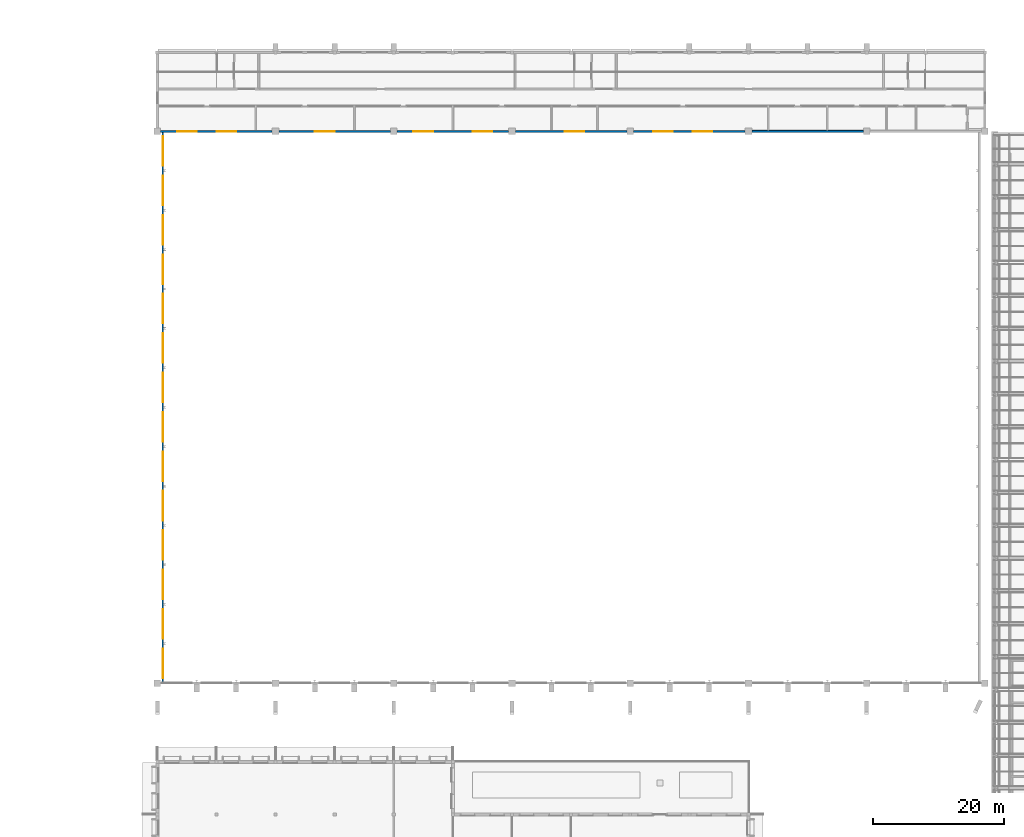
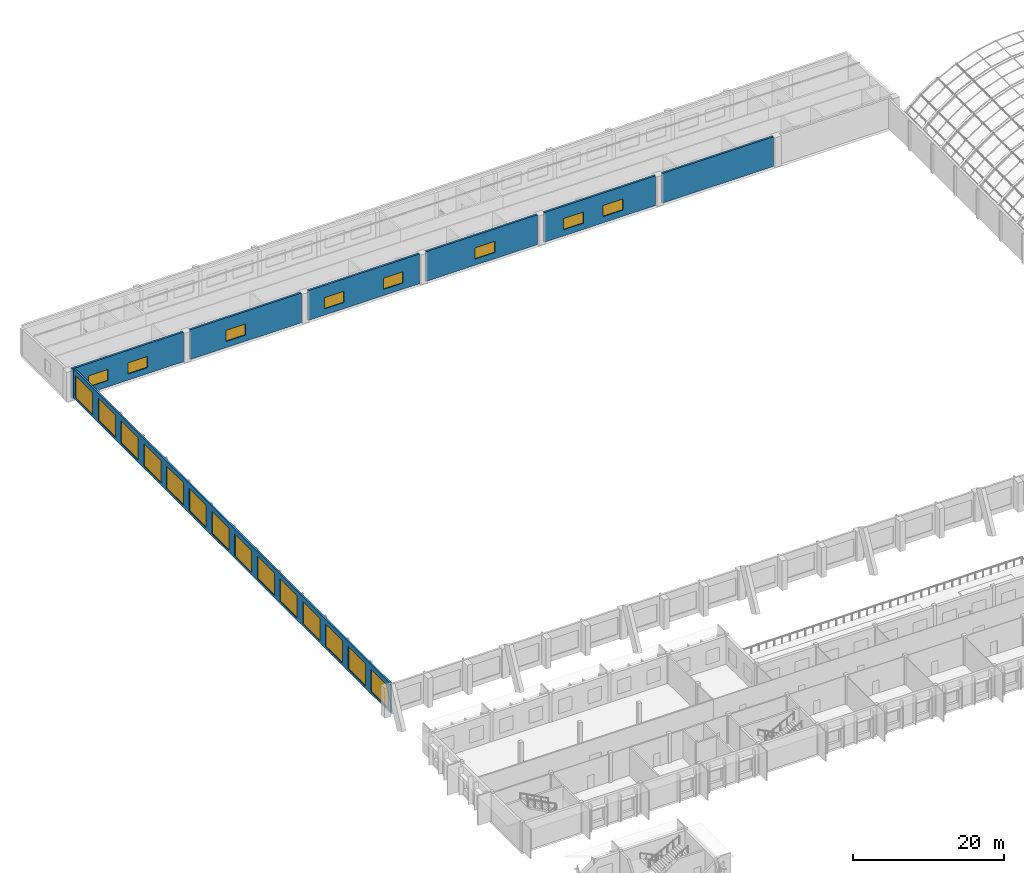
# One storey, part 138 of 182: 22 windows, 7 walls, 22 openings.
"""IFC4 building model written with IfcOpenShell, lengths in metres."""

from ifc_helpers import new_model, si_unit, direction, frame, frame_2d, origin, place, context, subcontext, project, spatial, rectangle, extrude, material, layer, layer_set, type_object, element, fill, save


model = new_model("IFC4")

# Units and contexts
model_context = context("Model", 3, precision=1e-05, world=origin(), true_north=direction((0.0, 1.0)))
body_context = subcontext(model_context, "Body", "Model", "MODEL_VIEW")
ifc_project = project(units=[si_unit("LENGTHUNIT", "METRE"), si_unit("AREAUNIT", "SQUARE_METRE"), si_unit("VOLUMEUNIT", "CUBIC_METRE"), si_unit("PLANEANGLEUNIT", "RADIAN"), si_unit("MASSUNIT", "GRAM", prefix="KILO")], contexts=[model_context])

# Site, building, storey
site_placement = place(None, origin())
site = spatial("IfcSite", under=ifc_project, at=site_placement, CompositionType="ELEMENT")
building_placement = place(site_placement, origin())
building = spatial("IfcBuilding", under=site, at=building_placement, Name="Okhra Congress Centre", CompositionType="ELEMENT")
storey_placement = place(building_placement, frame((0.0, 0.0, 7.199951171875)))
storey = spatial("IfcBuildingStorey", under=building, at=storey_placement, Name="L01", CompositionType="ELEMENT", Elevation=7.199951171875)

# Wall, openings, windows
ifc_material_1 = material(Name="Insulated metal sandwich panel (mineral wool core)")
ifc_layer_1 = layer(ifc_material_1, 0.25)
ifc_layer_set_1 = layer_set([ifc_layer_1], Name="Insulated wall panel 250")
wall_type_1 = type_object("IfcWallType", Name="Insulated wall panel 250", PredefinedType="SOLIDWALL", material=ifc_layer_set_1)
wall_1_placement = place(storey_placement, frame((28.85009765625, 132.14990234375, 0.0), z_axis=(0.0, 0.0, 1.0), x_axis=(0.0, 1.0, 0.0)))
wall_1 = element("IfcWall", 1, at=wall_1_placement, inside=storey, type_object=wall_type_1, Name="EH.WALL.L01.29", PredefinedType="SOLIDWALL", context=body_context, shape_type="SweptSolid", body=[
    extrude(rectangle(XDim=83.7001953125, YDim=0.25, at=frame_2d((41.85009765625, 0.0))), origin(), (0.0, 0.0, 1.0), 4.800048828125),
])
opening_1_placement = place(wall_1_placement, frame((0.60009765625, 0.0, 0.39990234375)))
opening_1 = element("IfcOpeningElement", 2, at=opening_1_placement, cuts=wall_1, Name="Opening WN5", PredefinedType="OPENING", context=body_context, shape_type="SweptSolid", body=[
    extrude(rectangle(XDim=4.5, YDim=3.60009765625, at=frame_2d((2.25, 1.800048828125))), frame((0.0, 0.135009765625, 0.0), z_axis=(0.0, -1.0, 0.0), x_axis=(1.0, 0.0, 0.0)), (0.0, 0.0, 1.0), 0.27001953125),
])
opening_2_placement = place(wall_1_placement, frame((6.60009765625, 0.0, 0.39990234375)))
opening_2 = element("IfcOpeningElement", 3, at=opening_2_placement, cuts=wall_1, Name="Opening WN5", PredefinedType="OPENING", context=body_context, shape_type="SweptSolid", body=[
    extrude(rectangle(XDim=4.5, YDim=3.60009765625, at=frame_2d((2.25, 1.800048828125))), frame((0.0, 0.135009765625, 0.0), z_axis=(0.0, -1.0, 0.0), x_axis=(1.0, 0.0, 0.0)), (0.0, 0.0, 1.0), 0.27001953125),
])
opening_3_placement = place(wall_1_placement, frame((12.60009765625, 0.0, 0.39990234375)))
opening_3 = element("IfcOpeningElement", 4, at=opening_3_placement, cuts=wall_1, Name="Opening WN5", PredefinedType="OPENING", context=body_context, shape_type="SweptSolid", body=[
    extrude(rectangle(XDim=4.5, YDim=3.60009765625, at=frame_2d((2.25, 1.800048828125))), frame((0.0, 0.135009765625, 0.0), z_axis=(0.0, -1.0, 0.0), x_axis=(1.0, 0.0, 0.0)), (0.0, 0.0, 1.0), 0.27001953125),
])
opening_4_placement = place(wall_1_placement, frame((18.60009765625, 0.0, 0.39990234375)))
opening_4 = element("IfcOpeningElement", 5, at=opening_4_placement, cuts=wall_1, Name="Opening WN5", PredefinedType="OPENING", context=body_context, shape_type="SweptSolid", body=[
    extrude(rectangle(XDim=4.5, YDim=3.60009765625, at=frame_2d((2.25, 1.800048828125))), frame((0.0, 0.135009765625, 0.0), z_axis=(0.0, -1.0, 0.0), x_axis=(1.0, 0.0, 0.0)), (0.0, 0.0, 1.0), 0.27001953125),
])
opening_5_placement = place(wall_1_placement, frame((24.60009765625, 0.0, 0.39990234375)))
opening_5 = element("IfcOpeningElement", 6, at=opening_5_placement, cuts=wall_1, Name="Opening WN5", PredefinedType="OPENING", context=body_context, shape_type="SweptSolid", body=[
    extrude(rectangle(XDim=4.5, YDim=3.60009765625, at=frame_2d((2.25, 1.800048828125))), frame((0.0, 0.135009765625, 0.0), z_axis=(0.0, -1.0, 0.0), x_axis=(1.0, 0.0, 0.0)), (0.0, 0.0, 1.0), 0.27001953125),
])
opening_6_placement = place(wall_1_placement, frame((30.60009765625, 0.0, 0.39990234375)))
opening_6 = element("IfcOpeningElement", 7, at=opening_6_placement, cuts=wall_1, Name="Opening WN5", PredefinedType="OPENING", context=body_context, shape_type="SweptSolid", body=[
    extrude(rectangle(XDim=4.5, YDim=3.60009765625, at=frame_2d((2.25, 1.800048828125))), frame((0.0, 0.135009765625, 0.0), z_axis=(0.0, -1.0, 0.0), x_axis=(1.0, 0.0, 0.0)), (0.0, 0.0, 1.0), 0.27001953125),
])
opening_7_placement = place(wall_1_placement, frame((36.60009765625, 0.0, 0.39990234375)))
opening_7 = element("IfcOpeningElement", 8, at=opening_7_placement, cuts=wall_1, Name="Opening WN5", PredefinedType="OPENING", context=body_context, shape_type="SweptSolid", body=[
    extrude(rectangle(XDim=4.5, YDim=3.60009765625, at=frame_2d((2.25, 1.800048828125))), frame((0.0, 0.135009765625, 0.0), z_axis=(0.0, -1.0, 0.0), x_axis=(1.0, 0.0, 0.0)), (0.0, 0.0, 1.0), 0.27001953125),
])
opening_8_placement = place(wall_1_placement, frame((42.60009765625, 0.0, 0.39990234375)))
opening_8 = element("IfcOpeningElement", 9, at=opening_8_placement, cuts=wall_1, Name="Opening WN5", PredefinedType="OPENING", context=body_context, shape_type="SweptSolid", body=[
    extrude(rectangle(XDim=4.5, YDim=3.60009765625, at=frame_2d((2.25, 1.800048828125))), frame((0.0, 0.135009765625, 0.0), z_axis=(0.0, -1.0, 0.0), x_axis=(1.0, 0.0, 0.0)), (0.0, 0.0, 1.0), 0.27001953125),
])
opening_9_placement = place(wall_1_placement, frame((48.60009765625, 0.0, 0.39990234375)))
opening_9 = element("IfcOpeningElement", 10, at=opening_9_placement, cuts=wall_1, Name="Opening WN5", PredefinedType="OPENING", context=body_context, shape_type="SweptSolid", body=[
    extrude(rectangle(XDim=4.5, YDim=3.60009765625, at=frame_2d((2.25, 1.800048828125))), frame((0.0, 0.135009765625, 0.0), z_axis=(0.0, -1.0, 0.0), x_axis=(1.0, 0.0, 0.0)), (0.0, 0.0, 1.0), 0.27001953125),
])
opening_10_placement = place(wall_1_placement, frame((54.60009765625, 0.0, 0.39990234375)))
opening_10 = element("IfcOpeningElement", 11, at=opening_10_placement, cuts=wall_1, Name="Opening WN5", PredefinedType="OPENING", context=body_context, shape_type="SweptSolid", body=[
    extrude(rectangle(XDim=4.5, YDim=3.60009765625, at=frame_2d((2.25, 1.800048828125))), frame((0.0, 0.135009765625, 0.0), z_axis=(0.0, -1.0, 0.0), x_axis=(1.0, 0.0, 0.0)), (0.0, 0.0, 1.0), 0.27001953125),
])
opening_11_placement = place(wall_1_placement, frame((60.60009765625, 0.0, 0.39990234375)))
opening_11 = element("IfcOpeningElement", 12, at=opening_11_placement, cuts=wall_1, Name="Opening WN5", PredefinedType="OPENING", context=body_context, shape_type="SweptSolid", body=[
    extrude(rectangle(XDim=4.5, YDim=3.60009765625, at=frame_2d((2.25, 1.800048828125))), frame((0.0, 0.135009765625, 0.0), z_axis=(0.0, -1.0, 0.0), x_axis=(1.0, 0.0, 0.0)), (0.0, 0.0, 1.0), 0.27001953125),
])
opening_12_placement = place(wall_1_placement, frame((66.60009765625, 0.0, 0.39990234375)))
opening_12 = element("IfcOpeningElement", 13, at=opening_12_placement, cuts=wall_1, Name="Opening WN5", PredefinedType="OPENING", context=body_context, shape_type="SweptSolid", body=[
    extrude(rectangle(XDim=4.5, YDim=3.60009765625, at=frame_2d((2.25, 1.800048828125))), frame((0.0, 0.135009765625, 0.0), z_axis=(0.0, -1.0, 0.0), x_axis=(1.0, 0.0, 0.0)), (0.0, 0.0, 1.0), 0.27001953125),
])
opening_13_placement = place(wall_1_placement, frame((72.60009765625, 0.0, 0.39990234375)))
opening_13 = element("IfcOpeningElement", 14, at=opening_13_placement, cuts=wall_1, Name="Opening WN5", PredefinedType="OPENING", context=body_context, shape_type="SweptSolid", body=[
    extrude(rectangle(XDim=4.5, YDim=3.60009765625, at=frame_2d((2.25, 1.800048828125))), frame((0.0, 0.135009765625, 0.0), z_axis=(0.0, -1.0, 0.0), x_axis=(1.0, 0.0, 0.0)), (0.0, 0.0, 1.0), 0.27001953125),
])
opening_14_placement = place(wall_1_placement, frame((78.60009765625, 0.0, 0.39990234375)))
opening_14 = element("IfcOpeningElement", 15, at=opening_14_placement, cuts=wall_1, Name="Opening WN5", PredefinedType="OPENING", context=body_context, shape_type="SweptSolid", body=[
    extrude(rectangle(XDim=4.5, YDim=3.60009765625, at=frame_2d((2.25, 1.800048828125))), frame((0.0, 0.135009765625, 0.0), z_axis=(0.0, -1.0, 0.0), x_axis=(1.0, 0.0, 0.0)), (0.0, 0.0, 1.0), 0.27001953125),
])
ifc_material_2 = material(Name="Thermally broken aluminium frame, triple glazing", Category="aluminium")
window_type_1 = type_object("IfcWindowType", Name="Fixed window 4500x3600", PartitioningType="SINGLE_PANEL", PredefinedType="WINDOW", material=ifc_material_2)
window_1_placement = place(opening_1_placement, origin())
window_1 = element("IfcWindow", 16, at=window_1_placement, inside=storey, type_object=window_type_1, Name="EH.WIN.L01.30", OverallHeight=3.60009765625, OverallWidth=4.5, PartitioningType="SINGLE_PANEL", PredefinedType="WINDOW", context=body_context, shape_type="SweptSolid", body=[
    extrude(rectangle(XDim=4.5, YDim=3.60009765625, at=frame_2d((2.25, 1.800048828125))), frame((0.0, 0.030029296875, 0.0), z_axis=(0.0, -1.0, 0.0), x_axis=(1.0, 0.0, 0.0)), (0.0, 0.0, 1.0), 0.06005859375),
])
fill(opening_1, window_1)
window_2_placement = place(opening_2_placement, origin())
window_2 = element("IfcWindow", 17, at=window_2_placement, inside=storey, type_object=window_type_1, Name="EH.WIN.L01.31", OverallHeight=3.60009765625, OverallWidth=4.5, PartitioningType="SINGLE_PANEL", PredefinedType="WINDOW", context=body_context, shape_type="SweptSolid", body=[
    extrude(rectangle(XDim=4.5, YDim=3.60009765625, at=frame_2d((2.25, 1.800048828125))), frame((0.0, 0.030029296875, 0.0), z_axis=(0.0, -1.0, 0.0), x_axis=(1.0, 0.0, 0.0)), (0.0, 0.0, 1.0), 0.06005859375),
])
fill(opening_2, window_2)
window_3_placement = place(opening_3_placement, origin())
window_3 = element("IfcWindow", 18, at=window_3_placement, inside=storey, type_object=window_type_1, Name="EH.WIN.L01.32", OverallHeight=3.60009765625, OverallWidth=4.5, PartitioningType="SINGLE_PANEL", PredefinedType="WINDOW", context=body_context, shape_type="SweptSolid", body=[
    extrude(rectangle(XDim=4.5, YDim=3.60009765625, at=frame_2d((2.25, 1.800048828125))), frame((0.0, 0.030029296875, 0.0), z_axis=(0.0, -1.0, 0.0), x_axis=(1.0, 0.0, 0.0)), (0.0, 0.0, 1.0), 0.06005859375),
])
fill(opening_3, window_3)
window_4_placement = place(opening_4_placement, origin())
window_4 = element("IfcWindow", 19, at=window_4_placement, inside=storey, type_object=window_type_1, Name="EH.WIN.L01.33", OverallHeight=3.60009765625, OverallWidth=4.5, PartitioningType="SINGLE_PANEL", PredefinedType="WINDOW", context=body_context, shape_type="SweptSolid", body=[
    extrude(rectangle(XDim=4.5, YDim=3.60009765625, at=frame_2d((2.25, 1.800048828125))), frame((0.0, 0.030029296875, 0.0), z_axis=(0.0, -1.0, 0.0), x_axis=(1.0, 0.0, 0.0)), (0.0, 0.0, 1.0), 0.06005859375),
])
fill(opening_4, window_4)
window_5_placement = place(opening_5_placement, origin())
window_5 = element("IfcWindow", 20, at=window_5_placement, inside=storey, type_object=window_type_1, Name="EH.WIN.L01.34", OverallHeight=3.60009765625, OverallWidth=4.5, PartitioningType="SINGLE_PANEL", PredefinedType="WINDOW", context=body_context, shape_type="SweptSolid", body=[
    extrude(rectangle(XDim=4.5, YDim=3.60009765625, at=frame_2d((2.25, 1.800048828125))), frame((0.0, 0.030029296875, 0.0), z_axis=(0.0, -1.0, 0.0), x_axis=(1.0, 0.0, 0.0)), (0.0, 0.0, 1.0), 0.06005859375),
])
fill(opening_5, window_5)
window_6_placement = place(opening_6_placement, origin())
window_6 = element("IfcWindow", 21, at=window_6_placement, inside=storey, type_object=window_type_1, Name="EH.WIN.L01.35", OverallHeight=3.60009765625, OverallWidth=4.5, PartitioningType="SINGLE_PANEL", PredefinedType="WINDOW", context=body_context, shape_type="SweptSolid", body=[
    extrude(rectangle(XDim=4.5, YDim=3.60009765625, at=frame_2d((2.25, 1.800048828125))), frame((0.0, 0.030029296875, 0.0), z_axis=(0.0, -1.0, 0.0), x_axis=(1.0, 0.0, 0.0)), (0.0, 0.0, 1.0), 0.06005859375),
])
fill(opening_6, window_6)
window_7_placement = place(opening_7_placement, origin())
window_7 = element("IfcWindow", 22, at=window_7_placement, inside=storey, type_object=window_type_1, Name="EH.WIN.L01.36", OverallHeight=3.60009765625, OverallWidth=4.5, PartitioningType="SINGLE_PANEL", PredefinedType="WINDOW", context=body_context, shape_type="SweptSolid", body=[
    extrude(rectangle(XDim=4.5, YDim=3.60009765625, at=frame_2d((2.25, 1.800048828125))), frame((0.0, 0.030029296875, 0.0), z_axis=(0.0, -1.0, 0.0), x_axis=(1.0, 0.0, 0.0)), (0.0, 0.0, 1.0), 0.06005859375),
])
fill(opening_7, window_7)
window_8_placement = place(opening_8_placement, origin())
window_8 = element("IfcWindow", 23, at=window_8_placement, inside=storey, type_object=window_type_1, Name="EH.WIN.L01.37", OverallHeight=3.60009765625, OverallWidth=4.5, PartitioningType="SINGLE_PANEL", PredefinedType="WINDOW", context=body_context, shape_type="SweptSolid", body=[
    extrude(rectangle(XDim=4.5, YDim=3.60009765625, at=frame_2d((2.25, 1.800048828125))), frame((0.0, 0.030029296875, 0.0), z_axis=(0.0, -1.0, 0.0), x_axis=(1.0, 0.0, 0.0)), (0.0, 0.0, 1.0), 0.06005859375),
])
fill(opening_8, window_8)
window_9_placement = place(opening_9_placement, origin())
window_9 = element("IfcWindow", 24, at=window_9_placement, inside=storey, type_object=window_type_1, Name="EH.WIN.L01.38", OverallHeight=3.60009765625, OverallWidth=4.5, PartitioningType="SINGLE_PANEL", PredefinedType="WINDOW", context=body_context, shape_type="SweptSolid", body=[
    extrude(rectangle(XDim=4.5, YDim=3.60009765625, at=frame_2d((2.25, 1.800048828125))), frame((0.0, 0.030029296875, 0.0), z_axis=(0.0, -1.0, 0.0), x_axis=(1.0, 0.0, 0.0)), (0.0, 0.0, 1.0), 0.06005859375),
])
fill(opening_9, window_9)
window_10_placement = place(opening_10_placement, origin())
window_10 = element("IfcWindow", 25, at=window_10_placement, inside=storey, type_object=window_type_1, Name="EH.WIN.L01.39", OverallHeight=3.60009765625, OverallWidth=4.5, PartitioningType="SINGLE_PANEL", PredefinedType="WINDOW", context=body_context, shape_type="SweptSolid", body=[
    extrude(rectangle(XDim=4.5, YDim=3.60009765625, at=frame_2d((2.25, 1.800048828125))), frame((0.0, 0.030029296875, 0.0), z_axis=(0.0, -1.0, 0.0), x_axis=(1.0, 0.0, 0.0)), (0.0, 0.0, 1.0), 0.06005859375),
])
fill(opening_10, window_10)
window_11_placement = place(opening_11_placement, origin())
window_11 = element("IfcWindow", 26, at=window_11_placement, inside=storey, type_object=window_type_1, Name="EH.WIN.L01.40", OverallHeight=3.60009765625, OverallWidth=4.5, PartitioningType="SINGLE_PANEL", PredefinedType="WINDOW", context=body_context, shape_type="SweptSolid", body=[
    extrude(rectangle(XDim=4.5, YDim=3.60009765625, at=frame_2d((2.25, 1.800048828125))), frame((0.0, 0.030029296875, 0.0), z_axis=(0.0, -1.0, 0.0), x_axis=(1.0, 0.0, 0.0)), (0.0, 0.0, 1.0), 0.06005859375),
])
fill(opening_11, window_11)
window_12_placement = place(opening_12_placement, origin())
window_12 = element("IfcWindow", 27, at=window_12_placement, inside=storey, type_object=window_type_1, Name="EH.WIN.L01.41", OverallHeight=3.60009765625, OverallWidth=4.5, PartitioningType="SINGLE_PANEL", PredefinedType="WINDOW", context=body_context, shape_type="SweptSolid", body=[
    extrude(rectangle(XDim=4.5, YDim=3.60009765625, at=frame_2d((2.25, 1.800048828125))), frame((0.0, 0.030029296875, 0.0), z_axis=(0.0, -1.0, 0.0), x_axis=(1.0, 0.0, 0.0)), (0.0, 0.0, 1.0), 0.06005859375),
])
fill(opening_12, window_12)
window_13_placement = place(opening_13_placement, origin())
window_13 = element("IfcWindow", 28, at=window_13_placement, inside=storey, type_object=window_type_1, Name="EH.WIN.L01.42", OverallHeight=3.60009765625, OverallWidth=4.5, PartitioningType="SINGLE_PANEL", PredefinedType="WINDOW", context=body_context, shape_type="SweptSolid", body=[
    extrude(rectangle(XDim=4.5, YDim=3.60009765625, at=frame_2d((2.25, 1.800048828125))), frame((0.0, 0.030029296875, 0.0), z_axis=(0.0, -1.0, 0.0), x_axis=(1.0, 0.0, 0.0)), (0.0, 0.0, 1.0), 0.06005859375),
])
fill(opening_13, window_13)
window_14_placement = place(opening_14_placement, origin())
window_14 = element("IfcWindow", 29, at=window_14_placement, inside=storey, type_object=window_type_1, Name="EH.WIN.L01.43", OverallHeight=3.60009765625, OverallWidth=4.5, PartitioningType="SINGLE_PANEL", PredefinedType="WINDOW", context=body_context, shape_type="SweptSolid", body=[
    extrude(rectangle(XDim=4.5, YDim=3.60009765625, at=frame_2d((2.25, 1.800048828125))), frame((0.0, 0.030029296875, 0.0), z_axis=(0.0, -1.0, 0.0), x_axis=(1.0, 0.0, 0.0)), (0.0, 0.0, 1.0), 0.06005859375),
])
fill(opening_14, window_14)

ifc_material_3 = material(Name="Concrete C30/37", Category="concrete")
ifc_layer_2 = layer(ifc_material_3, 0.300048828125)
ifc_layer_set_2 = layer_set([ifc_layer_2], Name="RC fire wall 300 REI 150 C30/37")
wall_type_2 = type_object("IfcWallType", Name="RC fire wall 300 REI 150 C30/37", PredefinedType="SOLIDWALL", material=ifc_layer_set_2)
wall_2_placement = place(storey_placement, frame((28.5, 216.0, 0.0), z_axis=(0.0, 0.0, 1.0), x_axis=(1.0, 0.0, 0.0)))
wall_2 = element("IfcWall", 30, at=wall_2_placement, inside=storey, type_object=wall_type_2, Name="EH.WALL.L01.22", PredefinedType="SOLIDWALL", context=body_context, shape_type="SweptSolid", body=[
    extrude(rectangle(XDim=17.0, YDim=0.300048828125, at=frame_2d((8.5, 0.0))), origin(), (0.0, 0.0, 1.0), 4.800048828125),
])
opening_15_placement = place(wall_2_placement, frame((2.53759765625, 0.0, 1.0)))
opening_15 = element("IfcOpeningElement", 31, at=opening_15_placement, cuts=wall_2, Name="Opening WN4", PredefinedType="OPENING", context=body_context, shape_type="SweptSolid", body=[
    extrude(rectangle(XDim=3.0, YDim=1.800048828125, at=frame_2d((1.5, 0.89990234375))), frame((0.0, 0.159912109375, 0.0), z_axis=(0.0, -1.0, 0.0), x_axis=(1.0, 0.0, 0.0)), (0.0, 0.0, 1.0), 0.320068359375),
])
opening_16_placement = place(wall_2_placement, frame((8.53759765625, 0.0, 1.0)))
opening_16 = element("IfcOpeningElement", 32, at=opening_16_placement, cuts=wall_2, Name="Opening WN4", PredefinedType="OPENING", context=body_context, shape_type="SweptSolid", body=[
    extrude(rectangle(XDim=3.0, YDim=1.800048828125, at=frame_2d((1.5, 0.89990234375))), frame((0.0, 0.159912109375, 0.0), z_axis=(0.0, -1.0, 0.0), x_axis=(1.0, 0.0, 0.0)), (0.0, 0.0, 1.0), 0.320068359375),
])
ifc_material_4 = material(Name="Steel-framed fire-resisting glass", Category="steel")
window_type_2 = type_object("IfcWindowType", Name="Fire-resisting glazed screen 3000x1800 EI 60", PartitioningType="SINGLE_PANEL", PredefinedType="WINDOW", material=ifc_material_4)
window_15_placement = place(opening_15_placement, origin())
window_15 = element("IfcWindow", 33, at=window_15_placement, inside=storey, type_object=window_type_2, Name="EH.WIN.L01.22", OverallHeight=1.800048828125, OverallWidth=3.0, PartitioningType="SINGLE_PANEL", PredefinedType="WINDOW", context=body_context, shape_type="SweptSolid", body=[
    extrude(rectangle(XDim=3.0, YDim=1.800048828125, at=frame_2d((1.5, 0.89990234375))), frame((0.0, 0.030029296875, 0.0), z_axis=(0.0, -1.0, 0.0), x_axis=(1.0, 0.0, 0.0)), (0.0, 0.0, 1.0), 0.06005859375),
])
fill(opening_15, window_15)
window_16_placement = place(opening_16_placement, origin())
window_16 = element("IfcWindow", 34, at=window_16_placement, inside=storey, type_object=window_type_2, Name="EH.WIN.L01.23", OverallHeight=1.800048828125, OverallWidth=3.0, PartitioningType="SINGLE_PANEL", PredefinedType="WINDOW", context=body_context, shape_type="SweptSolid", body=[
    extrude(rectangle(XDim=3.0, YDim=1.800048828125, at=frame_2d((1.5, 0.89990234375))), frame((0.0, 0.030029296875, 0.0), z_axis=(0.0, -1.0, 0.0), x_axis=(1.0, 0.0, 0.0)), (0.0, 0.0, 1.0), 0.06005859375),
])
fill(opening_16, window_16)

# Wall, opening, window
wall_3_placement = place(storey_placement, frame((46.5, 216.0, 0.0), z_axis=(0.0, 0.0, 1.0), x_axis=(1.0, 0.0, 0.0)))
wall_3 = element("IfcWall", 35, at=wall_3_placement, inside=storey, type_object=wall_type_2, Name="EH.WALL.L01.23", PredefinedType="SOLIDWALL", context=body_context, shape_type="SweptSolid", body=[
    extrude(rectangle(XDim=17.0, YDim=0.300048828125, at=frame_2d((8.5, 0.0))), origin(), (0.0, 0.0, 1.0), 4.800048828125),
])
opening_17_placement = place(wall_3_placement, frame((5.5, 0.0, 1.0)))
opening_17 = element("IfcOpeningElement", 36, at=opening_17_placement, cuts=wall_3, Name="Opening WN4", PredefinedType="OPENING", context=body_context, shape_type="SweptSolid", body=[
    extrude(rectangle(XDim=3.0, YDim=1.800048828125, at=frame_2d((1.5, 0.89990234375))), frame((0.0, 0.159912109375, 0.0), z_axis=(0.0, -1.0, 0.0), x_axis=(1.0, 0.0, 0.0)), (0.0, 0.0, 1.0), 0.320068359375),
])
window_17_placement = place(opening_17_placement, origin())
window_17 = element("IfcWindow", 37, at=window_17_placement, inside=storey, type_object=window_type_2, Name="EH.WIN.L01.24", OverallHeight=1.800048828125, OverallWidth=3.0, PartitioningType="SINGLE_PANEL", PredefinedType="WINDOW", context=body_context, shape_type="SweptSolid", body=[
    extrude(rectangle(XDim=3.0, YDim=1.800048828125, at=frame_2d((1.5, 0.89990234375))), frame((0.0, 0.030029296875, 0.0), z_axis=(0.0, -1.0, 0.0), x_axis=(1.0, 0.0, 0.0)), (0.0, 0.0, 1.0), 0.06005859375),
])
fill(opening_17, window_17)

# Wall, openings, windows
wall_4_placement = place(storey_placement, frame((64.5, 216.0, 0.0), z_axis=(0.0, 0.0, 1.0), x_axis=(1.0, 0.0, 0.0)))
wall_4 = element("IfcWall", 38, at=wall_4_placement, inside=storey, type_object=wall_type_2, Name="EH.WALL.L01.24", PredefinedType="SOLIDWALL", context=body_context, shape_type="SweptSolid", body=[
    extrude(rectangle(XDim=17.0, YDim=0.300048828125, at=frame_2d((8.5, 0.0))), origin(), (0.0, 0.0, 1.0), 4.800048828125),
])
opening_18_placement = place(wall_4_placement, frame((2.5, 0.0, 1.0)))
opening_18 = element("IfcOpeningElement", 39, at=opening_18_placement, cuts=wall_4, Name="Opening WN4", PredefinedType="OPENING", context=body_context, shape_type="SweptSolid", body=[
    extrude(rectangle(XDim=3.0, YDim=1.800048828125, at=frame_2d((1.5, 0.89990234375))), frame((0.0, 0.159912109375, 0.0), z_axis=(0.0, -1.0, 0.0), x_axis=(1.0, 0.0, 0.0)), (0.0, 0.0, 1.0), 0.320068359375),
])
opening_19_placement = place(wall_4_placement, frame((11.5, 0.0, 1.0)))
opening_19 = element("IfcOpeningElement", 40, at=opening_19_placement, cuts=wall_4, Name="Opening WN4", PredefinedType="OPENING", context=body_context, shape_type="SweptSolid", body=[
    extrude(rectangle(XDim=3.0, YDim=1.800048828125, at=frame_2d((1.5, 0.89990234375))), frame((0.0, 0.159912109375, 0.0), z_axis=(0.0, -1.0, 0.0), x_axis=(1.0, 0.0, 0.0)), (0.0, 0.0, 1.0), 0.320068359375),
])
window_18_placement = place(opening_18_placement, origin())
window_18 = element("IfcWindow", 41, at=window_18_placement, inside=storey, type_object=window_type_2, Name="EH.WIN.L01.25", OverallHeight=1.800048828125, OverallWidth=3.0, PartitioningType="SINGLE_PANEL", PredefinedType="WINDOW", context=body_context, shape_type="SweptSolid", body=[
    extrude(rectangle(XDim=3.0, YDim=1.800048828125, at=frame_2d((1.5, 0.89990234375))), frame((0.0, 0.030029296875, 0.0), z_axis=(0.0, -1.0, 0.0), x_axis=(1.0, 0.0, 0.0)), (0.0, 0.0, 1.0), 0.06005859375),
])
fill(opening_18, window_18)
window_19_placement = place(opening_19_placement, origin())
window_19 = element("IfcWindow", 42, at=window_19_placement, inside=storey, type_object=window_type_2, Name="EH.WIN.L01.26", OverallHeight=1.800048828125, OverallWidth=3.0, PartitioningType="SINGLE_PANEL", PredefinedType="WINDOW", context=body_context, shape_type="SweptSolid", body=[
    extrude(rectangle(XDim=3.0, YDim=1.800048828125, at=frame_2d((1.5, 0.89990234375))), frame((0.0, 0.030029296875, 0.0), z_axis=(0.0, -1.0, 0.0), x_axis=(1.0, 0.0, 0.0)), (0.0, 0.0, 1.0), 0.06005859375),
])
fill(opening_19, window_19)

# Wall, opening, window
wall_5_placement = place(storey_placement, frame((82.5, 216.0, 0.0), z_axis=(0.0, 0.0, 1.0), x_axis=(1.0, 0.0, 0.0)))
wall_5 = element("IfcWall", 43, at=wall_5_placement, inside=storey, type_object=wall_type_2, Name="EH.WALL.L01.25", PredefinedType="SOLIDWALL", context=body_context, shape_type="SweptSolid", body=[
    extrude(rectangle(XDim=17.0, YDim=0.300048828125, at=frame_2d((8.5, 0.0))), origin(), (0.0, 0.0, 1.0), 4.800048828125),
])
opening_20_placement = place(wall_5_placement, frame((7.5, 0.0, 1.0)))
opening_20 = element("IfcOpeningElement", 44, at=opening_20_placement, cuts=wall_5, Name="Opening WN4", PredefinedType="OPENING", context=body_context, shape_type="SweptSolid", body=[
    extrude(rectangle(XDim=3.0, YDim=1.800048828125, at=frame_2d((1.5, 0.89990234375))), frame((0.0, 0.159912109375, 0.0), z_axis=(0.0, -1.0, 0.0), x_axis=(1.0, 0.0, 0.0)), (0.0, 0.0, 1.0), 0.320068359375),
])
window_20_placement = place(opening_20_placement, origin())
window_20 = element("IfcWindow", 45, at=window_20_placement, inside=storey, type_object=window_type_2, Name="EH.WIN.L01.27", OverallHeight=1.800048828125, OverallWidth=3.0, PartitioningType="SINGLE_PANEL", PredefinedType="WINDOW", context=body_context, shape_type="SweptSolid", body=[
    extrude(rectangle(XDim=3.0, YDim=1.800048828125, at=frame_2d((1.5, 0.89990234375))), frame((0.0, 0.030029296875, 0.0), z_axis=(0.0, -1.0, 0.0), x_axis=(1.0, 0.0, 0.0)), (0.0, 0.0, 1.0), 0.06005859375),
])
fill(opening_20, window_20)

# Wall, openings, windows
wall_6_placement = place(storey_placement, frame((100.5, 216.0, 0.0), z_axis=(0.0, 0.0, 1.0), x_axis=(1.0, 0.0, 0.0)))
wall_6 = element("IfcWall", 46, at=wall_6_placement, inside=storey, type_object=wall_type_2, Name="EH.WALL.L01.26", PredefinedType="SOLIDWALL", context=body_context, shape_type="SweptSolid", body=[
    extrude(rectangle(XDim=17.0, YDim=0.300048828125, at=frame_2d((8.5, 0.0))), origin(), (0.0, 0.0, 1.0), 4.800048828125),
])
opening_21_placement = place(wall_6_placement, frame((3.0, 0.0, 1.0)))
opening_21 = element("IfcOpeningElement", 47, at=opening_21_placement, cuts=wall_6, Name="Opening WN4", PredefinedType="OPENING", context=body_context, shape_type="SweptSolid", body=[
    extrude(rectangle(XDim=3.0, YDim=1.800048828125, at=frame_2d((1.5, 0.89990234375))), frame((0.0, 0.159912109375, 0.0), z_axis=(0.0, -1.0, 0.0), x_axis=(1.0, 0.0, 0.0)), (0.0, 0.0, 1.0), 0.320068359375),
])
opening_22_placement = place(wall_6_placement, frame((9.0, 0.0, 1.0)))
opening_22 = element("IfcOpeningElement", 48, at=opening_22_placement, cuts=wall_6, Name="Opening WN4", PredefinedType="OPENING", context=body_context, shape_type="SweptSolid", body=[
    extrude(rectangle(XDim=3.0, YDim=1.800048828125, at=frame_2d((1.5, 0.89990234375))), frame((0.0, 0.159912109375, 0.0), z_axis=(0.0, -1.0, 0.0), x_axis=(1.0, 0.0, 0.0)), (0.0, 0.0, 1.0), 0.320068359375),
])
window_21_placement = place(opening_21_placement, origin())
window_21 = element("IfcWindow", 49, at=window_21_placement, inside=storey, type_object=window_type_2, Name="EH.WIN.L01.28", OverallHeight=1.800048828125, OverallWidth=3.0, PartitioningType="SINGLE_PANEL", PredefinedType="WINDOW", context=body_context, shape_type="SweptSolid", body=[
    extrude(rectangle(XDim=3.0, YDim=1.800048828125, at=frame_2d((1.5, 0.89990234375))), frame((0.0, 0.030029296875, 0.0), z_axis=(0.0, -1.0, 0.0), x_axis=(1.0, 0.0, 0.0)), (0.0, 0.0, 1.0), 0.06005859375),
])
fill(opening_21, window_21)
window_22_placement = place(opening_22_placement, origin())
window_22 = element("IfcWindow", 50, at=window_22_placement, inside=storey, type_object=window_type_2, Name="EH.WIN.L01.29", OverallHeight=1.800048828125, OverallWidth=3.0, PartitioningType="SINGLE_PANEL", PredefinedType="WINDOW", context=body_context, shape_type="SweptSolid", body=[
    extrude(rectangle(XDim=3.0, YDim=1.800048828125, at=frame_2d((1.5, 0.89990234375))), frame((0.0, 0.030029296875, 0.0), z_axis=(0.0, -1.0, 0.0), x_axis=(1.0, 0.0, 0.0)), (0.0, 0.0, 1.0), 0.06005859375),
])
fill(opening_22, window_22)

# Wall
wall_7_placement = place(storey_placement, frame((118.5, 216.0, 0.0), z_axis=(0.0, 0.0, 1.0), x_axis=(1.0, 0.0, 0.0)))
element("IfcWall", 51, at=wall_7_placement, inside=storey, type_object=wall_type_2, Name="EH.WALL.L01.27", PredefinedType="SOLIDWALL", context=body_context, shape_type="SweptSolid", body=[
    extrude(rectangle(XDim=17.0, YDim=0.300048828125, at=frame_2d((8.5, 0.0))), origin(), (0.0, 0.0, 1.0), 4.800048828125),
])

save(model, "model.ifc")
